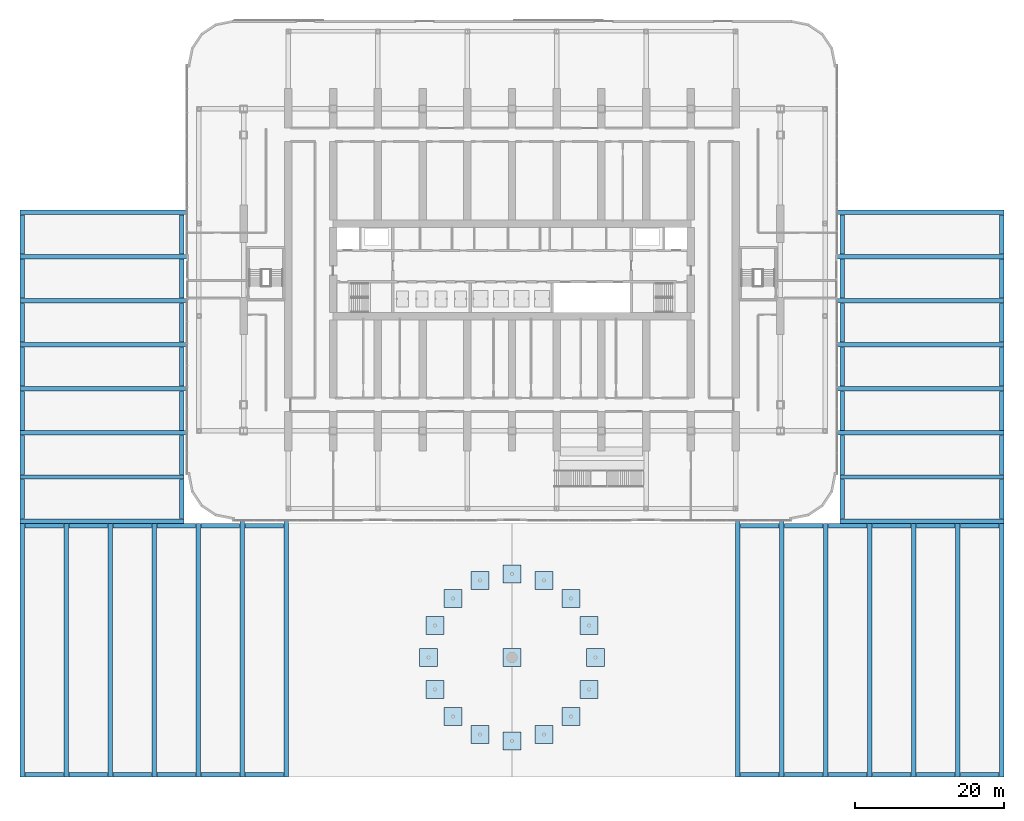
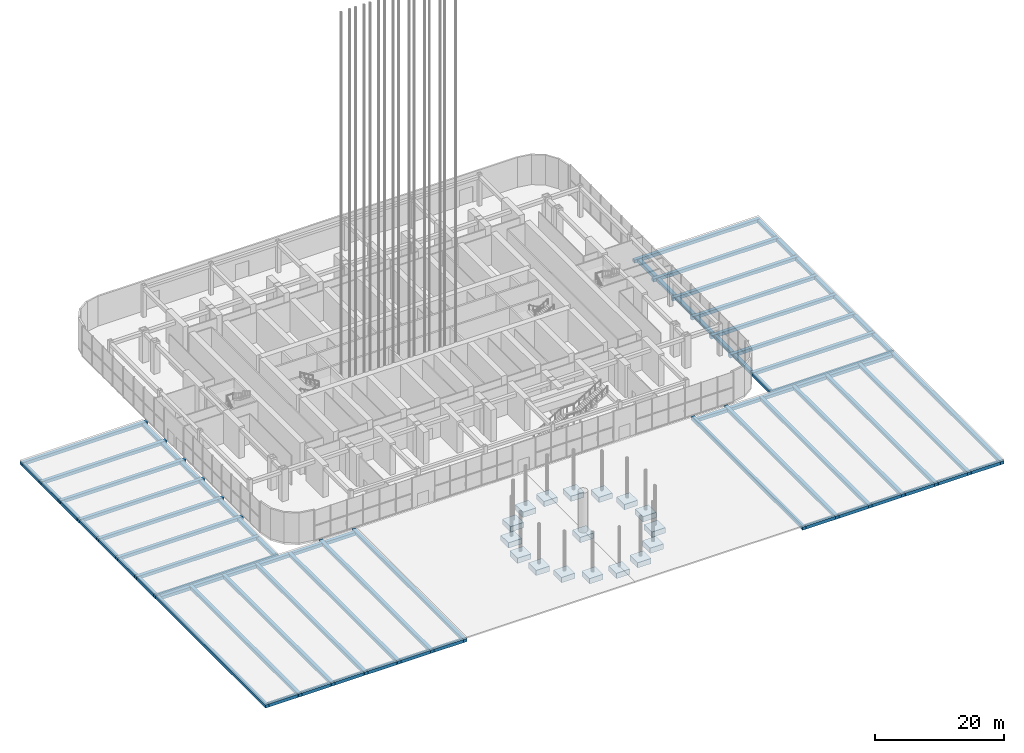
# One storey, part 1 of 57: 99 footings.
"""IFC4 building model written with IfcOpenShell, lengths in metres."""

from ifc_helpers import new_model, si_unit, direction, frame, origin, origin_2d, place, context, subcontext, project, spatial, rectangle, extrude, material, type_object, element, save


model = new_model("IFC4")

# Units and contexts
model_context = context("Model", 3, precision=1e-05, world=origin(), true_north=direction((0.0, 1.0)))
body_context = subcontext(model_context, "Body", "Model", "MODEL_VIEW")
ifc_project = project(units=[si_unit("LENGTHUNIT", "METRE"), si_unit("AREAUNIT", "SQUARE_METRE"), si_unit("VOLUMEUNIT", "CUBIC_METRE"), si_unit("PLANEANGLEUNIT", "RADIAN"), si_unit("MASSUNIT", "GRAM", prefix="KILO")], contexts=[model_context])

# Site, building, storey
site_placement = place(None, origin())
site = spatial("IfcSite", under=ifc_project, at=site_placement, CompositionType="ELEMENT")
building_placement = place(site_placement, origin())
building = spatial("IfcBuilding", under=site, at=building_placement, Name="Orbita Commons", CompositionType="ELEMENT")
storey_placement = place(building_placement, origin())
storey = spatial("IfcBuildingStorey", under=building, at=storey_placement, Name="L00", CompositionType="ELEMENT", Elevation=0.0)

# Footings
ifc_material_1 = material(Name="Concrete C40/50", Category="concrete")
footing_type_1 = type_object("IfcFootingType", Name="Canopy pad footing 2400x2400x1000", PredefinedType="PAD_FOOTING", material=ifc_material_1)
for number, where, z_axis, x_axis, name in (
    (1, (53.199951171875, -20.0, -1.25), (0.0, 0.0, 1.0), (1.0, 0.0, 0.0), "Canopy pad footing 1"),
    (2, (52.347412109375, -15.7138671875, -1.25), (0.0, 0.0, 1.0), (1.0, 0.0, 0.0), "Canopy pad footing 2"),
    (3, (49.919677734375, -12.080322265625, -1.25), (0.0, 0.0, 1.0), (1.0, 0.0, 0.0), "Canopy pad footing 3"),
    (4, (46.2861328125, -9.652587890625, -1.25), (0.0, 0.0, 1.0), (1.0, 0.0, 0.0), "Canopy pad footing 4"),
    (5, (42.0, -8.800048828125, -1.25), (0.0, 0.0, 1.0), (1.0, 0.0, 0.0), "Canopy pad footing 5"),
    (6, (37.7138671875, -9.652587890625, -1.25), (0.0, 0.0, 1.0), (1.0, 0.0, 0.0), "Canopy pad footing 6"),
    (7, (34.080322265625, -12.080322265625, -1.25), (0.0, 0.0, 1.0), (1.0, 0.0, 0.0), "Canopy pad footing 7"),
    (8, (31.652587890625, -15.7138671875, -1.25), (0.0, 0.0, 1.0), (1.0, 0.0, 0.0), "Canopy pad footing 8"),
    (9, (30.800048828125, -20.0, -1.25), (0.0, 0.0, 1.0), (1.0, 0.0, 0.0), "Canopy pad footing 9"),
    (10, (31.652587890625, -24.2861328125, -1.25), (0.0, 0.0, 1.0), (1.0, 0.0, 0.0), "Canopy pad footing 10"),
    (11, (34.080322265625, -27.919677734375, -1.25), (0.0, 0.0, 1.0), (1.0, 0.0, 0.0), "Canopy pad footing 11"),
    (12, (37.7138671875, -30.347412109375, -1.25), (0.0, 0.0, 1.0), (1.0, 0.0, 0.0), "Canopy pad footing 12"),
    (13, (42.0, -31.199951171875, -1.25), (0.0, 0.0, 1.0), (1.0, 0.0, 0.0), "Canopy pad footing 13"),
    (14, (46.2861328125, -30.347412109375, -1.25), (0.0, 0.0, 1.0), (1.0, 0.0, 0.0), "Canopy pad footing 14"),
    (15, (49.919677734375, -27.919677734375, -1.25), (0.0, 0.0, 1.0), (1.0, 0.0, 0.0), "Canopy pad footing 15"),
    (16, (52.347412109375, -24.2861328125, -1.25), (0.0, 0.0, 1.0), (1.0, 0.0, 0.0), "Canopy pad footing 16"),
    (17, (42.0, -20.0, -1.25), (0.0, 0.0, 1.0), (1.0, 0.0, 0.0), "Canopy stem pad footing"),
):
    element("IfcFooting", number, at=place(storey_placement, frame(where, z_axis=z_axis, x_axis=x_axis)), inside=storey, type_object=footing_type_1, Name=name, PredefinedType="PAD_FOOTING", context=body_context, shape_type="SweptSolid", body=[
        extrude(rectangle(XDim=2.39990234375, YDim=2.39990234375, at=origin_2d()), origin(), (0.0, 0.0, 1.0), 1.0),
    ])
ifc_material_2 = material(Name="Concrete C32/40", Category="concrete")
footing_type_2 = type_object("IfcFootingType", Name="Plaza ground beam 600x600", PredefinedType="FOOTING_BEAM", material=ifc_material_2)
for number, where, z_axis, x_axis, name in (
    (18, (-23.699951171875, -19.0, -0.85009765625), (0.0, 0.0, 1.0), (1.0, 0.0, 0.0), "Plaza ground beam PV-1 main 1"),
    (19, (-17.800048828125, -19.0, -0.85009765625), (0.0, 0.0, 1.0), (1.0, 0.0, 0.0), "Plaza ground beam PV-1 main 2"),
    (20, (-11.89990234375, -19.0, -0.85009765625), (0.0, 0.0, 1.0), (1.0, 0.0, 0.0), "Plaza ground beam PV-1 main 3"),
    (21, (-6.0, -19.0, -0.85009765625), (0.0, 0.0, 1.0), (1.0, 0.0, 0.0), "Plaza ground beam PV-1 main 4"),
    (22, (-0.10009765625, -19.0, -0.85009765625), (0.0, 0.0, 1.0), (1.0, 0.0, 0.0), "Plaza ground beam PV-1 main 5"),
):
    element("IfcFooting", number, at=place(storey_placement, frame(where, z_axis=z_axis, x_axis=x_axis)), inside=storey, type_object=footing_type_2, Name=name, PredefinedType="FOOTING_BEAM", context=body_context, shape_type="SweptSolid", body=[
        extrude(rectangle(XDim=0.60009765625, YDim=34.0, at=origin_2d()), origin(), (0.0, 0.0, 1.0), 0.60009765625),
    ])
for number, where, z_axis, x_axis, name in (
    (23, (5.800048828125, -18.75, -0.85009765625), (0.0, 0.0, 1.0), (1.0, 0.0, 0.0), "Plaza ground beam PV-1 main 6"),
    (24, (11.699951171875, -18.75, -0.85009765625), (0.0, 0.0, 1.0), (1.0, 0.0, 0.0), "Plaza ground beam PV-1 main 7"),
):
    element("IfcFooting", number, at=place(storey_placement, frame(where, z_axis=z_axis, x_axis=x_axis)), inside=storey, type_object=footing_type_2, Name=name, PredefinedType="FOOTING_BEAM", context=body_context, shape_type="SweptSolid", body=[
        extrude(rectangle(XDim=0.60009765625, YDim=34.5, at=origin_2d()), origin(), (0.0, 0.0, 1.0), 0.60009765625),
    ])
for number, where, z_axis, x_axis, name in (
    (25, (-20.75, -35.699951171875, -0.85009765625), (0.0, 0.0, 1.0), (1.0, 0.0, 0.0), "Plaza ground beam PV-1 edge 8"),
    (26, (-14.85009765625, -35.699951171875, -0.85009765625), (0.0, 0.0, 1.0), (1.0, 0.0, 0.0), "Plaza ground beam PV-1 edge 9"),
    (27, (-8.949951171875, -35.699951171875, -0.85009765625), (0.0, 0.0, 1.0), (1.0, 0.0, 0.0), "Plaza ground beam PV-1 edge 10"),
    (28, (-3.050048828125, -35.699951171875, -0.85009765625), (0.0, 0.0, 1.0), (1.0, 0.0, 0.0), "Plaza ground beam PV-1 edge 11"),
    (29, (2.85009765625, -35.699951171875, -0.85009765625), (0.0, 0.0, 1.0), (1.0, 0.0, 0.0), "Plaza ground beam PV-1 edge 12"),
    (30, (8.75, -35.699951171875, -0.85009765625), (0.0, 0.0, 1.0), (1.0, 0.0, 0.0), "Plaza ground beam PV-1 edge 13"),
    (31, (-20.75, -2.300048828125, -0.85009765625), (0.0, 0.0, 1.0), (1.0, 0.0, 0.0), "Plaza ground beam PV-1 edge 14"),
    (32, (-14.85009765625, -2.300048828125, -0.85009765625), (0.0, 0.0, 1.0), (1.0, 0.0, 0.0), "Plaza ground beam PV-1 edge 15"),
    (33, (-8.949951171875, -2.300048828125, -0.85009765625), (0.0, 0.0, 1.0), (1.0, 0.0, 0.0), "Plaza ground beam PV-1 edge 16"),
    (34, (-3.050048828125, -2.300048828125, -0.85009765625), (0.0, 0.0, 1.0), (1.0, 0.0, 0.0), "Plaza ground beam PV-1 edge 17"),
    (35, (2.85009765625, -2.300048828125, -0.85009765625), (0.0, 0.0, 1.0), (1.0, 0.0, 0.0), "Plaza ground beam PV-1 edge 18"),
    (36, (8.75, -2.300048828125, -0.85009765625), (0.0, 0.0, 1.0), (1.0, 0.0, 0.0), "Plaza ground beam PV-1 edge 19"),
):
    element("IfcFooting", number, at=place(storey_placement, frame(where, z_axis=z_axis, x_axis=x_axis)), inside=storey, type_object=footing_type_2, Name=name, PredefinedType="FOOTING_BEAM", context=body_context, shape_type="SweptSolid", body=[
        extrude(rectangle(XDim=5.199951171875, YDim=0.60009765625, at=origin_2d()), origin(), (0.0, 0.0, 1.0), 0.60009765625),
    ])
for number, where, z_axis, x_axis, name in (
    (37, (72.300048828125, -18.75, -0.85009765625), (0.0, 0.0, 1.0), (1.0, 0.0, 0.0), "Plaza ground beam PV-4 main 1"),
    (38, (78.199951171875, -18.75, -0.85009765625), (0.0, 0.0, 1.0), (1.0, 0.0, 0.0), "Plaza ground beam PV-4 main 2"),
):
    element("IfcFooting", number, at=place(storey_placement, frame(where, z_axis=z_axis, x_axis=x_axis)), inside=storey, type_object=footing_type_2, Name=name, PredefinedType="FOOTING_BEAM", context=body_context, shape_type="SweptSolid", body=[
        extrude(rectangle(XDim=0.60009765625, YDim=34.5, at=origin_2d()), origin(), (0.0, 0.0, 1.0), 0.60009765625),
    ])
for number, where, z_axis, x_axis, name in (
    (39, (84.10009765625, -19.0, -0.85009765625), (0.0, 0.0, 1.0), (1.0, 0.0, 0.0), "Plaza ground beam PV-4 main 3"),
    (40, (90.0, -19.0, -0.85009765625), (0.0, 0.0, 1.0), (1.0, 0.0, 0.0), "Plaza ground beam PV-4 main 4"),
    (41, (95.89990234375, -19.0, -0.85009765625), (0.0, 0.0, 1.0), (1.0, 0.0, 0.0), "Plaza ground beam PV-4 main 5"),
    (42, (101.800048828125, -19.0, -0.85009765625), (0.0, 0.0, 1.0), (1.0, 0.0, 0.0), "Plaza ground beam PV-4 main 6"),
    (43, (107.699951171875, -19.0, -0.85009765625), (0.0, 0.0, 1.0), (1.0, 0.0, 0.0), "Plaza ground beam PV-4 main 7"),
):
    element("IfcFooting", number, at=place(storey_placement, frame(where, z_axis=z_axis, x_axis=x_axis)), inside=storey, type_object=footing_type_2, Name=name, PredefinedType="FOOTING_BEAM", context=body_context, shape_type="SweptSolid", body=[
        extrude(rectangle(XDim=0.60009765625, YDim=34.0, at=origin_2d()), origin(), (0.0, 0.0, 1.0), 0.60009765625),
    ])
for number, where, z_axis, x_axis, name in (
    (44, (75.25, -35.699951171875, -0.85009765625), (0.0, 0.0, 1.0), (1.0, 0.0, 0.0), "Plaza ground beam PV-4 edge 8"),
    (45, (81.14990234375, -35.699951171875, -0.85009765625), (0.0, 0.0, 1.0), (1.0, 0.0, 0.0), "Plaza ground beam PV-4 edge 9"),
    (46, (87.050048828125, -35.699951171875, -0.85009765625), (0.0, 0.0, 1.0), (1.0, 0.0, 0.0), "Plaza ground beam PV-4 edge 10"),
    (47, (92.949951171875, -35.699951171875, -0.85009765625), (0.0, 0.0, 1.0), (1.0, 0.0, 0.0), "Plaza ground beam PV-4 edge 11"),
    (48, (98.85009765625, -35.699951171875, -0.85009765625), (0.0, 0.0, 1.0), (1.0, 0.0, 0.0), "Plaza ground beam PV-4 edge 12"),
    (49, (104.75, -35.699951171875, -0.85009765625), (0.0, 0.0, 1.0), (1.0, 0.0, 0.0), "Plaza ground beam PV-4 edge 13"),
    (50, (75.25, -2.300048828125, -0.85009765625), (0.0, 0.0, 1.0), (1.0, 0.0, 0.0), "Plaza ground beam PV-4 edge 14"),
    (51, (81.14990234375, -2.300048828125, -0.85009765625), (0.0, 0.0, 1.0), (1.0, 0.0, 0.0), "Plaza ground beam PV-4 edge 15"),
    (52, (87.050048828125, -2.300048828125, -0.85009765625), (0.0, 0.0, 1.0), (1.0, 0.0, 0.0), "Plaza ground beam PV-4 edge 16"),
    (53, (92.949951171875, -2.300048828125, -0.85009765625), (0.0, 0.0, 1.0), (1.0, 0.0, 0.0), "Plaza ground beam PV-4 edge 17"),
    (54, (98.85009765625, -2.300048828125, -0.85009765625), (0.0, 0.0, 1.0), (1.0, 0.0, 0.0), "Plaza ground beam PV-4 edge 18"),
    (55, (104.75, -2.300048828125, -0.85009765625), (0.0, 0.0, 1.0), (1.0, 0.0, 0.0), "Plaza ground beam PV-4 edge 19"),
):
    element("IfcFooting", number, at=place(storey_placement, frame(where, z_axis=z_axis, x_axis=x_axis)), inside=storey, type_object=footing_type_2, Name=name, PredefinedType="FOOTING_BEAM", context=body_context, shape_type="SweptSolid", body=[
        extrude(rectangle(XDim=5.199951171875, YDim=0.60009765625, at=origin_2d()), origin(), (0.0, 0.0, 1.0), 0.60009765625),
    ])
for number, where, z_axis, x_axis, name in (
    (56, (-13.0, -1.699951171875, -0.85009765625), (0.0, 0.0, 1.0), (1.0, 0.0, 0.0), "Plaza ground beam PV-5 main 1"),
    (57, (-13.0, 4.21435546875, -0.85009765625), (0.0, 0.0, 1.0), (1.0, 0.0, 0.0), "Plaza ground beam PV-5 main 2"),
):
    element("IfcFooting", number, at=place(storey_placement, frame(where, z_axis=z_axis, x_axis=x_axis)), inside=storey, type_object=footing_type_2, Name=name, PredefinedType="FOOTING_BEAM", context=body_context, shape_type="SweptSolid", body=[
        extrude(rectangle(XDim=22.0, YDim=0.60009765625, at=origin_2d()), origin(), (0.0, 0.0, 1.0), 0.60009765625),
    ])
for number, where, z_axis, x_axis, name in (
    (58, (-12.75, 10.128662109375, -0.85009765625), (0.0, 0.0, 1.0), (1.0, 0.0, 0.0), "Plaza ground beam PV-5 main 3"),
    (59, (-12.75, 16.04296875, -0.85009765625), (0.0, 0.0, 1.0), (1.0, 0.0, 0.0), "Plaza ground beam PV-5 main 4"),
    (60, (-12.75, 21.95703125, -0.85009765625), (0.0, 0.0, 1.0), (1.0, 0.0, 0.0), "Plaza ground beam PV-5 main 5"),
    (61, (-12.75, 27.871337890625, -0.85009765625), (0.0, 0.0, 1.0), (1.0, 0.0, 0.0), "Plaza ground beam PV-5 main 6"),
    (62, (-12.75, 33.78564453125, -0.85009765625), (0.0, 0.0, 1.0), (1.0, 0.0, 0.0), "Plaza ground beam PV-5 main 7"),
    (63, (-12.75, 39.699951171875, -0.85009765625), (0.0, 0.0, 1.0), (1.0, 0.0, 0.0), "Plaza ground beam PV-5 main 8"),
):
    element("IfcFooting", number, at=place(storey_placement, frame(where, z_axis=z_axis, x_axis=x_axis)), inside=storey, type_object=footing_type_2, Name=name, PredefinedType="FOOTING_BEAM", context=body_context, shape_type="SweptSolid", body=[
        extrude(rectangle(XDim=22.5, YDim=0.60009765625, at=origin_2d()), origin(), (0.0, 0.0, 1.0), 0.60009765625),
    ])
for number, where, z_axis, x_axis, name in (
    (64, (-23.699951171875, 1.257080078125, -0.85009765625), (0.0, 0.0, 1.0), (1.0, 0.0, 0.0), "Plaza ground beam PV-5 edge 9"),
    (65, (-23.699951171875, 7.17138671875, -0.85009765625), (0.0, 0.0, 1.0), (1.0, 0.0, 0.0), "Plaza ground beam PV-5 edge 10"),
    (66, (-23.699951171875, 13.085693359375, -0.85009765625), (0.0, 0.0, 1.0), (1.0, 0.0, 0.0), "Plaza ground beam PV-5 edge 11"),
    (67, (-23.699951171875, 19.0, -0.85009765625), (0.0, 0.0, 1.0), (1.0, 0.0, 0.0), "Plaza ground beam PV-5 edge 12"),
    (68, (-23.699951171875, 24.914306640625, -0.85009765625), (0.0, 0.0, 1.0), (1.0, 0.0, 0.0), "Plaza ground beam PV-5 edge 13"),
    (69, (-23.699951171875, 30.82861328125, -0.85009765625), (0.0, 0.0, 1.0), (1.0, 0.0, 0.0), "Plaza ground beam PV-5 edge 14"),
    (70, (-23.699951171875, 36.742919921875, -0.85009765625), (0.0, 0.0, 1.0), (1.0, 0.0, 0.0), "Plaza ground beam PV-5 edge 15"),
    (71, (-2.300048828125, 1.257080078125, -0.85009765625), (0.0, 0.0, 1.0), (1.0, 0.0, 0.0), "Plaza ground beam PV-5 edge 16"),
    (72, (-2.300048828125, 7.17138671875, -0.85009765625), (0.0, 0.0, 1.0), (1.0, 0.0, 0.0), "Plaza ground beam PV-5 edge 17"),
    (73, (-2.300048828125, 13.085693359375, -0.85009765625), (0.0, 0.0, 1.0), (1.0, 0.0, 0.0), "Plaza ground beam PV-5 edge 18"),
    (74, (-2.300048828125, 19.0, -0.85009765625), (0.0, 0.0, 1.0), (1.0, 0.0, 0.0), "Plaza ground beam PV-5 edge 19"),
    (75, (-2.300048828125, 24.914306640625, -0.85009765625), (0.0, 0.0, 1.0), (1.0, 0.0, 0.0), "Plaza ground beam PV-5 edge 20"),
    (76, (-2.300048828125, 30.82861328125, -0.85009765625), (0.0, 0.0, 1.0), (1.0, 0.0, 0.0), "Plaza ground beam PV-5 edge 21"),
    (77, (-2.300048828125, 36.742919921875, -0.85009765625), (0.0, 0.0, 1.0), (1.0, 0.0, 0.0), "Plaza ground beam PV-5 edge 22"),
):
    element("IfcFooting", number, at=place(storey_placement, frame(where, z_axis=z_axis, x_axis=x_axis)), inside=storey, type_object=footing_type_2, Name=name, PredefinedType="FOOTING_BEAM", context=body_context, shape_type="SweptSolid", body=[
        extrude(rectangle(XDim=0.60009765625, YDim=5.21435546875, at=origin_2d()), origin(), (0.0, 0.0, 1.0), 0.60009765625),
    ])
for number, where, z_axis, x_axis, name in (
    (78, (97.0, -1.699951171875, -0.85009765625), (0.0, 0.0, 1.0), (1.0, 0.0, 0.0), "Plaza ground beam PV-6 main 1"),
    (79, (97.0, 4.21435546875, -0.85009765625), (0.0, 0.0, 1.0), (1.0, 0.0, 0.0), "Plaza ground beam PV-6 main 2"),
):
    element("IfcFooting", number, at=place(storey_placement, frame(where, z_axis=z_axis, x_axis=x_axis)), inside=storey, type_object=footing_type_2, Name=name, PredefinedType="FOOTING_BEAM", context=body_context, shape_type="SweptSolid", body=[
        extrude(rectangle(XDim=22.0, YDim=0.60009765625, at=origin_2d()), origin(), (0.0, 0.0, 1.0), 0.60009765625),
    ])
for number, where, z_axis, x_axis, name in (
    (80, (96.75, 10.128662109375, -0.85009765625), (0.0, 0.0, 1.0), (1.0, 0.0, 0.0), "Plaza ground beam PV-6 main 3"),
    (81, (96.75, 16.04296875, -0.85009765625), (0.0, 0.0, 1.0), (1.0, 0.0, 0.0), "Plaza ground beam PV-6 main 4"),
    (82, (96.75, 21.95703125, -0.85009765625), (0.0, 0.0, 1.0), (1.0, 0.0, 0.0), "Plaza ground beam PV-6 main 5"),
    (83, (96.75, 27.871337890625, -0.85009765625), (0.0, 0.0, 1.0), (1.0, 0.0, 0.0), "Plaza ground beam PV-6 main 6"),
    (84, (96.75, 33.78564453125, -0.85009765625), (0.0, 0.0, 1.0), (1.0, 0.0, 0.0), "Plaza ground beam PV-6 main 7"),
    (85, (96.75, 39.699951171875, -0.85009765625), (0.0, 0.0, 1.0), (1.0, 0.0, 0.0), "Plaza ground beam PV-6 main 8"),
):
    element("IfcFooting", number, at=place(storey_placement, frame(where, z_axis=z_axis, x_axis=x_axis)), inside=storey, type_object=footing_type_2, Name=name, PredefinedType="FOOTING_BEAM", context=body_context, shape_type="SweptSolid", body=[
        extrude(rectangle(XDim=22.5, YDim=0.60009765625, at=origin_2d()), origin(), (0.0, 0.0, 1.0), 0.60009765625),
    ])
for number, where, z_axis, x_axis, name in (
    (86, (86.300048828125, 1.257080078125, -0.85009765625), (0.0, 0.0, 1.0), (1.0, 0.0, 0.0), "Plaza ground beam PV-6 edge 9"),
    (87, (86.300048828125, 7.17138671875, -0.85009765625), (0.0, 0.0, 1.0), (1.0, 0.0, 0.0), "Plaza ground beam PV-6 edge 10"),
    (88, (86.300048828125, 13.085693359375, -0.85009765625), (0.0, 0.0, 1.0), (1.0, 0.0, 0.0), "Plaza ground beam PV-6 edge 11"),
    (89, (86.300048828125, 19.0, -0.85009765625), (0.0, 0.0, 1.0), (1.0, 0.0, 0.0), "Plaza ground beam PV-6 edge 12"),
    (90, (86.300048828125, 24.914306640625, -0.85009765625), (0.0, 0.0, 1.0), (1.0, 0.0, 0.0), "Plaza ground beam PV-6 edge 13"),
    (91, (86.300048828125, 30.82861328125, -0.85009765625), (0.0, 0.0, 1.0), (1.0, 0.0, 0.0), "Plaza ground beam PV-6 edge 14"),
    (92, (86.300048828125, 36.742919921875, -0.85009765625), (0.0, 0.0, 1.0), (1.0, 0.0, 0.0), "Plaza ground beam PV-6 edge 15"),
    (93, (107.699951171875, 1.257080078125, -0.85009765625), (0.0, 0.0, 1.0), (1.0, 0.0, 0.0), "Plaza ground beam PV-6 edge 16"),
    (94, (107.699951171875, 7.17138671875, -0.85009765625), (0.0, 0.0, 1.0), (1.0, 0.0, 0.0), "Plaza ground beam PV-6 edge 17"),
    (95, (107.699951171875, 13.085693359375, -0.85009765625), (0.0, 0.0, 1.0), (1.0, 0.0, 0.0), "Plaza ground beam PV-6 edge 18"),
    (96, (107.699951171875, 19.0, -0.85009765625), (0.0, 0.0, 1.0), (1.0, 0.0, 0.0), "Plaza ground beam PV-6 edge 19"),
    (97, (107.699951171875, 24.914306640625, -0.85009765625), (0.0, 0.0, 1.0), (1.0, 0.0, 0.0), "Plaza ground beam PV-6 edge 20"),
    (98, (107.699951171875, 30.82861328125, -0.85009765625), (0.0, 0.0, 1.0), (1.0, 0.0, 0.0), "Plaza ground beam PV-6 edge 21"),
    (99, (107.699951171875, 36.742919921875, -0.85009765625), (0.0, 0.0, 1.0), (1.0, 0.0, 0.0), "Plaza ground beam PV-6 edge 22"),
):
    element("IfcFooting", number, at=place(storey_placement, frame(where, z_axis=z_axis, x_axis=x_axis)), inside=storey, type_object=footing_type_2, Name=name, PredefinedType="FOOTING_BEAM", context=body_context, shape_type="SweptSolid", body=[
        extrude(rectangle(XDim=0.60009765625, YDim=5.21435546875, at=origin_2d()), origin(), (0.0, 0.0, 1.0), 0.60009765625),
    ])

save(model, "model.ifc")
